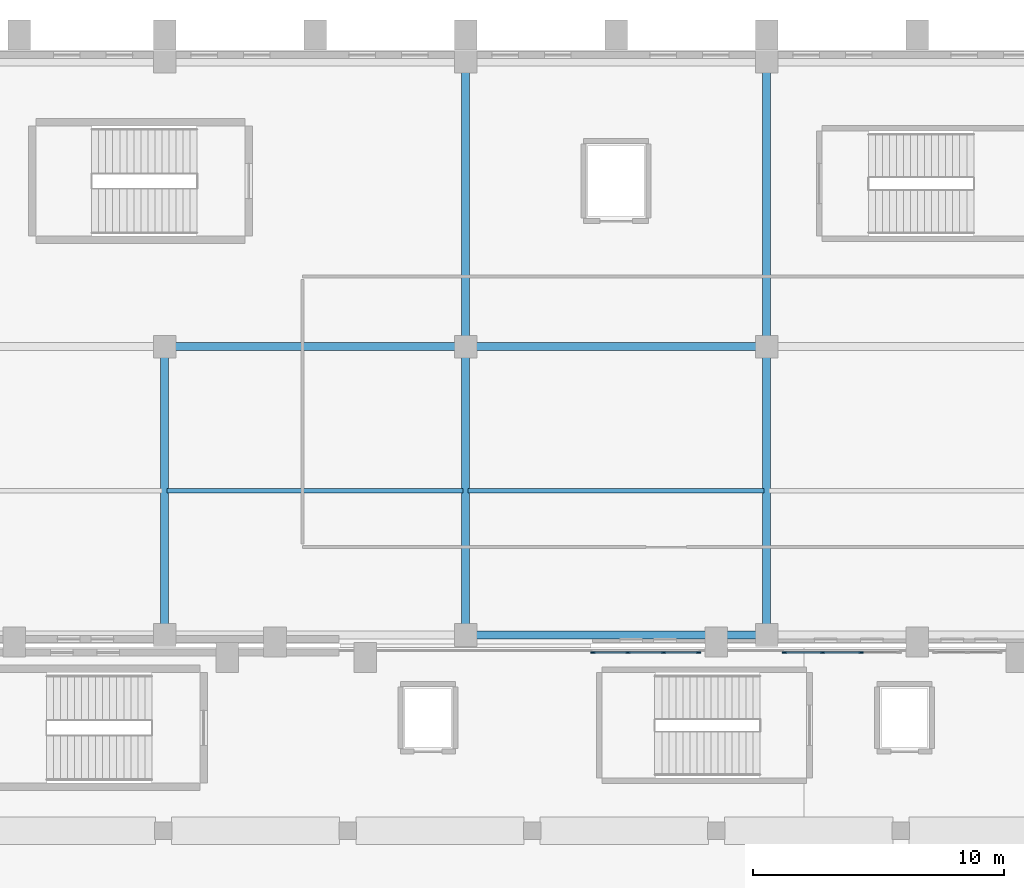
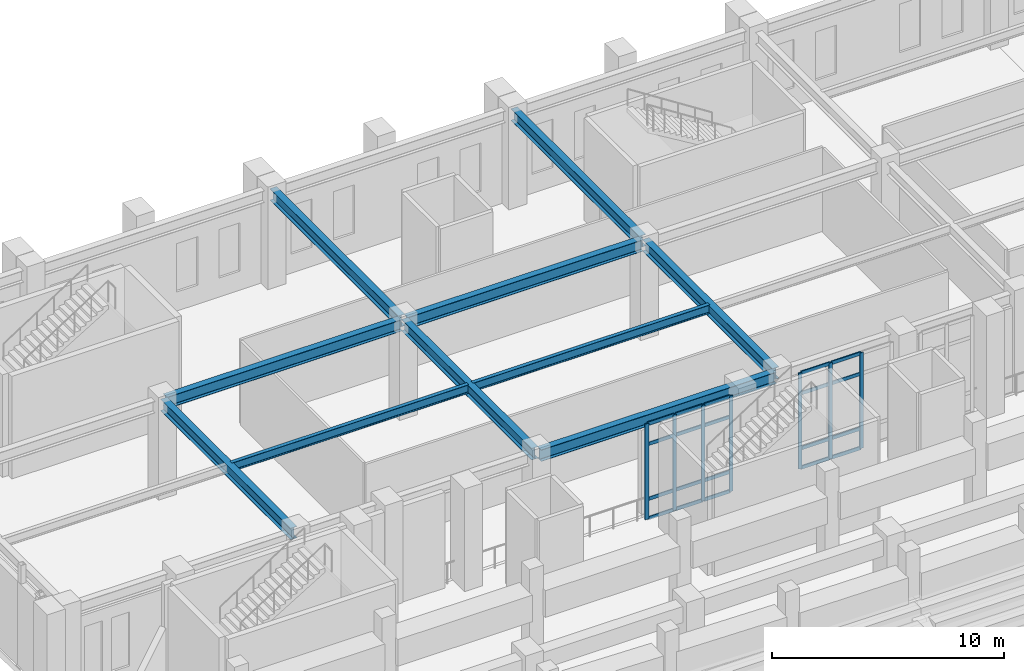
# One storey, part 50 of 159: 27 members, 10 beams, 2 elements without a shape of their own.
"""IFC4 building model written with IfcOpenShell, lengths in metres."""

from ifc_helpers import new_model, si_unit, derived_unit, direction, frame, origin, origin_2d, place, context, subcontext, project, spatial, rectangle, i_section, extrude, material, layer, layer_set, material_profile, profile_set, type_object, element, aggregate, save


model = new_model("IFC4")

# Units and contexts
model_context = context("Model", 3, precision=1e-05, world=origin(), true_north=direction((0.0, 1.0)))
body_context = subcontext(model_context, "Body", "Model", "MODEL_VIEW")
ifc_project = project(units=[si_unit("LENGTHUNIT", "METRE"), si_unit("AREAUNIT", "SQUARE_METRE"), si_unit("VOLUMEUNIT", "CUBIC_METRE"), si_unit("PLANEANGLEUNIT", "RADIAN"), si_unit("MASSUNIT", "GRAM", prefix="KILO"), derived_unit("THERMALTRANSMITTANCEUNIT", [(si_unit("MASSUNIT", "GRAM", prefix="KILO"), 1), (si_unit("TIMEUNIT", "SECOND"), -3), (si_unit("THERMODYNAMICTEMPERATUREUNIT", "KELVIN"), -1)])], contexts=[model_context])

# Site, building, storey
site_placement = place(None, origin())
site = spatial("IfcSite", under=ifc_project, at=site_placement, CompositionType="ELEMENT")
building_placement = place(site_placement, origin())
building = spatial("IfcBuilding", under=site, at=building_placement, Name="Valcora Ridge Arena", CompositionType="ELEMENT")
storey_placement = place(building_placement, frame((0.0, 0.0, 6.0)))
storey = spatial("IfcBuildingStorey", under=building, at=storey_placement, Name="L01", CompositionType="ELEMENT", Elevation=6.0)

# Beams
ifc_material_1 = material(Name="Steel ASTM A572 Grade 50", Category="steel")
ifc_material_profile_1 = material_profile(ifc_material_1, i_section(OverallWidth=0.324951171875, OverallDepth=0.612060546875, WebThickness=0.0126953125, FlangeThickness=0.01904296875, FilletRadius=0.01806640625, at=origin_2d()), Name="W24X104")
ifc_profile_set_1 = profile_set([ifc_material_profile_1], Name="Steel ASTM A572 Grade 50")
beam_type_1 = type_object("IfcBeamType", Name="TY-BEAM-G-W24X104-X", PredefinedType="BEAM", material=ifc_profile_set_1)
for number, where, z_axis, x_axis, name in (
    (1, (48.139892578125, 108.699951171875, 4.73388671875), (1.0, 0.0, 0.0), (0.0, 1.0, 0.0), "G-W24X104-X BEM-G-W24X104-X-0037"),
    (2, (36.139892578125, 120.199951171875, 4.73388671875), (1.0, 0.0, 0.0), (0.0, 1.0, 0.0), "G-W24X104-X BEM-G-W24X104-X-0050"),
    (3, (48.139892578125, 120.199951171875, 4.73388671875), (1.0, 0.0, 0.0), (0.0, 1.0, 0.0), "G-W24X104-X BEM-G-W24X104-X-0051"),
):
    element("IfcBeam", number, at=place(storey_placement, frame(where, z_axis=z_axis, x_axis=x_axis)), inside=storey, type_object=beam_type_1, Name=name, PredefinedType="BEAM", context=body_context, shape_type="SweptSolid", body=[
        extrude(i_section(OverallWidth=0.324951171875, OverallDepth=0.612060546875, WebThickness=0.0126953125, FlangeThickness=0.01904296875, FilletRadius=0.01806640625, at=origin_2d()), origin(), (0.0, 0.0, 1.0), 11.72021484375),
    ])
ifc_material_profile_2 = material_profile(ifc_material_1, i_section(OverallWidth=0.324951171875, OverallDepth=0.612060546875, WebThickness=0.0126953125, FlangeThickness=0.01904296875, FilletRadius=0.01806640625, at=origin_2d()), Name="W24X104")
ifc_profile_set_2 = profile_set([ifc_material_profile_2], Name="Steel ASTM A572 Grade 50")
beam_type_2 = type_object("IfcBeamType", Name="TY-BEAM-G-W24X104-Y", PredefinedType="BEAM", material=ifc_profile_set_2)
for number, where, z_axis, x_axis, name in (
    (4, (36.0, 108.840087890625, 4.73388671875), (0.0, 1.0, 0.0), (-1.0, 0.0, 0.0), "G-W24X104-Y BEM-G-W24X104-Y-0039"),
    (5, (48.0, 108.840087890625, 4.73388671875), (0.0, 1.0, 0.0), (-1.0, 0.0, 0.0), "G-W24X104-Y BEM-G-W24X104-Y-0040"),
):
    element("IfcBeam", number, at=place(storey_placement, frame(where, z_axis=z_axis, x_axis=x_axis)), inside=storey, type_object=beam_type_2, Name=name, PredefinedType="BEAM", context=body_context, shape_type="SweptSolid", body=[
        extrude(i_section(OverallWidth=0.324951171875, OverallDepth=0.612060546875, WebThickness=0.0126953125, FlangeThickness=0.01904296875, FilletRadius=0.01806640625, at=origin_2d()), origin(), (0.0, 0.0, 1.0), 11.219970703125),
    ])
beam_1_placement = place(storey_placement, frame((48.0, 120.340087890625, 4.73388671875), z_axis=(0.0, 1.0, 0.0), x_axis=(-1.0, 0.0, 0.0)))
element("IfcBeam", 6, at=beam_1_placement, inside=storey, type_object=beam_type_2, Name="G-W24X104-Y BEM-G-W24X104-Y-0041", PredefinedType="BEAM", context=body_context, shape_type="SweptSolid", body=[
    extrude(i_section(OverallWidth=0.324951171875, OverallDepth=0.612060546875, WebThickness=0.0126953125, FlangeThickness=0.01904296875, FilletRadius=0.01806640625, at=origin_2d()), origin(), (0.0, 0.0, 1.0), 11.06982421875),
])
beam_2_placement = place(storey_placement, frame((60.0, 108.840087890625, 4.73388671875), z_axis=(0.0, 1.0, 0.0), x_axis=(-1.0, 0.0, 0.0)))
element("IfcBeam", 7, at=beam_2_placement, inside=storey, type_object=beam_type_2, Name="G-W24X104-Y BEM-G-W24X104-Y-0042", PredefinedType="BEAM", context=body_context, shape_type="SweptSolid", body=[
    extrude(i_section(OverallWidth=0.324951171875, OverallDepth=0.612060546875, WebThickness=0.0126953125, FlangeThickness=0.01904296875, FilletRadius=0.01806640625, at=origin_2d()), origin(), (0.0, 0.0, 1.0), 11.219970703125),
])
beam_3_placement = place(storey_placement, frame((60.0, 120.340087890625, 4.73388671875), z_axis=(0.0, 1.0, 0.0), x_axis=(-1.0, 0.0, 0.0)))
element("IfcBeam", 8, at=beam_3_placement, inside=storey, type_object=beam_type_2, Name="G-W24X104-Y BEM-G-W24X104-Y-0043", PredefinedType="BEAM", context=body_context, shape_type="SweptSolid", body=[
    extrude(i_section(OverallWidth=0.324951171875, OverallDepth=0.612060546875, WebThickness=0.0126953125, FlangeThickness=0.01904296875, FilletRadius=0.01806640625, at=origin_2d()), origin(), (0.0, 0.0, 1.0), 11.06982421875),
])
ifc_material_profile_3 = material_profile(ifc_material_1, i_section(OverallWidth=0.18994140625, OverallDepth=0.45703125, WebThickness=0.009033203125, FlangeThickness=0.014404296875, FilletRadius=0.014892578125, at=origin_2d()), Name="W18X50")
ifc_profile_set_3 = profile_set([ifc_material_profile_3], Name="Steel ASTM A572 Grade 50")
beam_type_3 = type_object("IfcBeamType", Name="TY-BEAM-J-W18X50", PredefinedType="JOIST", material=ifc_profile_set_3)
for number, where, z_axis, x_axis, name in (
    (9, (36.10009765625, 114.449951171875, 4.8115234375), (1.0, 0.0, 0.0), (0.0, 1.0, 0.0), "J-W18X50 BEM-J-W18X50-0028"),
    (10, (48.10009765625, 114.449951171875, 4.8115234375), (1.0, 0.0, 0.0), (0.0, 1.0, 0.0), "J-W18X50 BEM-J-W18X50-0029"),
):
    element("IfcBeam", number, at=place(storey_placement, frame(where, z_axis=z_axis, x_axis=x_axis)), inside=storey, type_object=beam_type_3, Name=name, PredefinedType="JOIST", context=body_context, shape_type="SweptSolid", body=[
        extrude(i_section(OverallWidth=0.18994140625, OverallDepth=0.45703125, WebThickness=0.009033203125, FlangeThickness=0.014404296875, FilletRadius=0.014892578125, at=origin_2d()), origin(), (0.0, 0.0, 1.0), 11.7998046875),
    ])

# Curtain wall, members
ifc_material_2 = material(Name="Anodised dark bronze architectural aluminium 6063-T6", Category="aluminium")
ifc_layer_1 = layer(ifc_material_2, 0.179931640625, Name="Anodised dark bronze architectural aluminium 6063-T6")
ifc_layer_set_1 = layer_set([ifc_layer_1], Name="Anodised dark bronze architectural aluminium 6063-T6")
curtain_wall_type_1 = type_object("IfcCurtainWallType", Name="TY-CURTAINWALL-CW-V1-GOTH-043X50", PredefinedType="NOTDEFINED", material=ifc_layer_set_1)
curtain_wall_1_placement = place(storey_placement, origin())
curtain_wall_1 = element("IfcCurtainWall", 11, at=curtain_wall_1_placement, inside=storey, type_object=curtain_wall_type_1, Name="CW-V1-GOTH-043X50 CW-0102", PredefinedType="NOTDEFINED")
ifc_material_profile_4 = material_profile(ifc_material_2, rectangle(XDim=0.06005859375, YDim=0.179931640625, at=origin_2d()), Name="ALU MULLION 60x180")
ifc_profile_set_4 = profile_set([ifc_material_profile_4], Name="Anodised dark bronze architectural aluminium 6063-T6")
member_type_1 = type_object("IfcMemberType", Name="TY-MEM-CWM-60x180", PredefinedType="MULLION", material=ifc_profile_set_4)
member_1_placement = place(storey_placement, frame((53.080078125, 108.0, 0.0), z_axis=(0.0, 0.0, 1.0), x_axis=(0.0, 1.0, 0.0)))
member_1 = element("IfcMember", 12, at=member_1_placement, type_object=member_type_1, Name="CW-0102/CWM-60x180/M00", PredefinedType="MULLION", context=body_context, shape_type="SweptSolid", body=[
    extrude(rectangle(XDim=0.06005859375, YDim=0.179931640625, at=origin_2d()), origin(), (0.0, 0.0, 1.0), 5.0400390625),
])
member_2_placement = place(storey_placement, frame((54.469970703125, 108.0, 0.0), z_axis=(0.0, 0.0, 1.0), x_axis=(0.0, 1.0, 0.0)))
member_2 = element("IfcMember", 13, at=member_2_placement, type_object=member_type_1, Name="CW-0102/CWM-60x180/M01", PredefinedType="MULLION", context=body_context, shape_type="SweptSolid", body=[
    extrude(rectangle(XDim=0.06005859375, YDim=0.179931640625, at=origin_2d()), origin(), (0.0, 0.0, 1.0), 5.0400390625),
])
member_3_placement = place(storey_placement, frame((55.889892578125, 108.0, 0.0), z_axis=(0.0, 0.0, 1.0), x_axis=(0.0, 1.0, 0.0)))
member_3 = element("IfcMember", 14, at=member_3_placement, type_object=member_type_1, Name="CW-0102/CWM-60x180/M02", PredefinedType="MULLION", context=body_context, shape_type="SweptSolid", body=[
    extrude(rectangle(XDim=0.06005859375, YDim=0.179931640625, at=origin_2d()), origin(), (0.0, 0.0, 1.0), 5.0400390625),
])
member_4_placement = place(storey_placement, frame((57.280029296875, 108.0, 0.0), z_axis=(0.0, 0.0, 1.0), x_axis=(0.0, 1.0, 0.0)))
member_4 = element("IfcMember", 15, at=member_4_placement, type_object=member_type_1, Name="CW-0102/CWM-60x180/M03", PredefinedType="MULLION", context=body_context, shape_type="SweptSolid", body=[
    extrude(rectangle(XDim=0.06005859375, YDim=0.179931640625, at=origin_2d()), origin(), (0.0, 0.0, 1.0), 5.0400390625),
])

ifc_layer_2 = layer(ifc_material_2, 0.179931640625, Name="Anodised dark bronze architectural aluminium 6063-T6")
ifc_layer_set_2 = layer_set([ifc_layer_2], Name="Anodised dark bronze architectural aluminium 6063-T6")
curtain_wall_type_2 = type_object("IfcCurtainWallType", Name="TY-CURTAINWALL-CW-V1-GOTH-046X50", PredefinedType="NOTDEFINED", material=ifc_layer_set_2)
curtain_wall_2_placement = place(storey_placement, origin())
curtain_wall_2 = element("IfcCurtainWall", 16, at=curtain_wall_2_placement, inside=storey, type_object=curtain_wall_type_2, Name="CW-V1-GOTH-046X50 CW-0103", PredefinedType="NOTDEFINED")
member_5_placement = place(storey_placement, frame((60.719970703125, 108.0, 0.0), z_axis=(0.0, 0.0, 1.0), x_axis=(0.0, 1.0, 0.0)))
member_5 = element("IfcMember", 17, at=member_5_placement, type_object=member_type_1, Name="CW-0103/CWM-60x180/M00", PredefinedType="MULLION", context=body_context, shape_type="SweptSolid", body=[
    extrude(rectangle(XDim=0.06005859375, YDim=0.179931640625, at=origin_2d()), origin(), (0.0, 0.0, 1.0), 5.0400390625),
])
member_6_placement = place(storey_placement, frame((62.22998046875, 108.0, 0.0), z_axis=(0.0, 0.0, 1.0), x_axis=(0.0, 1.0, 0.0)))
member_6 = element("IfcMember", 18, at=member_6_placement, type_object=member_type_1, Name="CW-0103/CWM-60x180/M01", PredefinedType="MULLION", context=body_context, shape_type="SweptSolid", body=[
    extrude(rectangle(XDim=0.06005859375, YDim=0.179931640625, at=origin_2d()), origin(), (0.0, 0.0, 1.0), 5.0400390625),
])
member_7_placement = place(storey_placement, frame((63.77001953125, 108.0, 0.0), z_axis=(0.0, 0.0, 1.0), x_axis=(0.0, 1.0, 0.0)))
member_7 = element("IfcMember", 19, at=member_7_placement, type_object=member_type_1, Name="CW-0103/CWM-60x180/M02", PredefinedType="MULLION", context=body_context, shape_type="SweptSolid", body=[
    extrude(rectangle(XDim=0.06005859375, YDim=0.179931640625, at=origin_2d()), origin(), (0.0, 0.0, 1.0), 5.0400390625),
])

# Member
ifc_material_profile_5 = material_profile(ifc_material_2, rectangle(XDim=0.06005859375, YDim=0.179931640625, at=origin_2d()), Name="ALU TRANSOM 60x180")
ifc_profile_set_5 = profile_set([ifc_material_profile_5], Name="Anodised dark bronze architectural aluminium 6063-T6")
member_type_2 = type_object("IfcMemberType", Name="TY-MEM-CWT-60x180", PredefinedType="USERDEFINED", material=ifc_profile_set_5)
member_8_placement = place(storey_placement, frame((53.110107421875, 108.0, 0.030029296875), z_axis=(1.0, 0.0, 0.0), x_axis=(0.0, 1.0, 0.0)))
member_8 = element("IfcMember", 20, at=member_8_placement, type_object=member_type_2, Name="CW-0102/CWT-60x180/T00-00", ObjectType="TRANSOM", PredefinedType="USERDEFINED", context=body_context, shape_type="SweptSolid", body=[
    extrude(rectangle(XDim=0.06005859375, YDim=0.179931640625, at=origin_2d()), origin(), (0.0, 0.0, 1.0), 1.329833984375),
])

member_9_placement = place(storey_placement, frame((53.110107421875, 108.0, 1.050048828125), z_axis=(1.0, 0.0, 0.0), x_axis=(0.0, 1.0, 0.0)))
member_9 = element("IfcMember", 21, at=member_9_placement, type_object=member_type_2, Name="CW-0102/CWT-60x180/T00-01", ObjectType="TRANSOM", PredefinedType="USERDEFINED", context=body_context, shape_type="SweptSolid", body=[
    extrude(rectangle(XDim=0.06005859375, YDim=0.179931640625, at=origin_2d()), origin(), (0.0, 0.0, 1.0), 1.329833984375),
])

member_10_placement = place(storey_placement, frame((53.110107421875, 108.0, 3.93994140625), z_axis=(1.0, 0.0, 0.0), x_axis=(0.0, 1.0, 0.0)))
member_10 = element("IfcMember", 22, at=member_10_placement, type_object=member_type_2, Name="CW-0102/CWT-60x180/T00-02", ObjectType="TRANSOM", PredefinedType="USERDEFINED", context=body_context, shape_type="SweptSolid", body=[
    extrude(rectangle(XDim=0.06005859375, YDim=0.179931640625, at=origin_2d()), origin(), (0.0, 0.0, 1.0), 1.329833984375),
])

member_11_placement = place(storey_placement, frame((53.110107421875, 108.0, 5.010009765625), z_axis=(1.0, 0.0, 0.0), x_axis=(0.0, 1.0, 0.0)))
member_11 = element("IfcMember", 23, at=member_11_placement, type_object=member_type_2, Name="CW-0102/CWT-60x180/T00-03", ObjectType="TRANSOM", PredefinedType="USERDEFINED", context=body_context, shape_type="SweptSolid", body=[
    extrude(rectangle(XDim=0.06005859375, YDim=0.179931640625, at=origin_2d()), origin(), (0.0, 0.0, 1.0), 1.329833984375),
])

member_12_placement = place(storey_placement, frame((54.5, 108.0, 0.030029296875), z_axis=(1.0, 0.0, 0.0), x_axis=(0.0, 1.0, 0.0)))
member_12 = element("IfcMember", 24, at=member_12_placement, type_object=member_type_2, Name="CW-0102/CWT-60x180/T01-00", ObjectType="TRANSOM", PredefinedType="USERDEFINED", context=body_context, shape_type="SweptSolid", body=[
    extrude(rectangle(XDim=0.06005859375, YDim=0.179931640625, at=origin_2d()), origin(), (0.0, 0.0, 1.0), 1.360107421875),
])

member_13_placement = place(storey_placement, frame((54.5, 108.0, 1.050048828125), z_axis=(1.0, 0.0, 0.0), x_axis=(0.0, 1.0, 0.0)))
member_13 = element("IfcMember", 25, at=member_13_placement, type_object=member_type_2, Name="CW-0102/CWT-60x180/T01-01", ObjectType="TRANSOM", PredefinedType="USERDEFINED", context=body_context, shape_type="SweptSolid", body=[
    extrude(rectangle(XDim=0.06005859375, YDim=0.179931640625, at=origin_2d()), origin(), (0.0, 0.0, 1.0), 1.360107421875),
])

member_14_placement = place(storey_placement, frame((54.5, 108.0, 3.93994140625), z_axis=(1.0, 0.0, 0.0), x_axis=(0.0, 1.0, 0.0)))
member_14 = element("IfcMember", 26, at=member_14_placement, type_object=member_type_2, Name="CW-0102/CWT-60x180/T01-02", ObjectType="TRANSOM", PredefinedType="USERDEFINED", context=body_context, shape_type="SweptSolid", body=[
    extrude(rectangle(XDim=0.06005859375, YDim=0.179931640625, at=origin_2d()), origin(), (0.0, 0.0, 1.0), 1.360107421875),
])

member_15_placement = place(storey_placement, frame((54.5, 108.0, 5.010009765625), z_axis=(1.0, 0.0, 0.0), x_axis=(0.0, 1.0, 0.0)))
member_15 = element("IfcMember", 27, at=member_15_placement, type_object=member_type_2, Name="CW-0102/CWT-60x180/T01-03", ObjectType="TRANSOM", PredefinedType="USERDEFINED", context=body_context, shape_type="SweptSolid", body=[
    extrude(rectangle(XDim=0.06005859375, YDim=0.179931640625, at=origin_2d()), origin(), (0.0, 0.0, 1.0), 1.360107421875),
])

member_16_placement = place(storey_placement, frame((55.919921875, 108.0, 0.030029296875), z_axis=(1.0, 0.0, 0.0), x_axis=(0.0, 1.0, 0.0)))
member_16 = element("IfcMember", 28, at=member_16_placement, type_object=member_type_2, Name="CW-0102/CWT-60x180/T02-00", ObjectType="TRANSOM", PredefinedType="USERDEFINED", context=body_context, shape_type="SweptSolid", body=[
    extrude(rectangle(XDim=0.06005859375, YDim=0.179931640625, at=origin_2d()), origin(), (0.0, 0.0, 1.0), 1.330078125),
])

member_17_placement = place(storey_placement, frame((55.919921875, 108.0, 1.050048828125), z_axis=(1.0, 0.0, 0.0), x_axis=(0.0, 1.0, 0.0)))
member_17 = element("IfcMember", 29, at=member_17_placement, type_object=member_type_2, Name="CW-0102/CWT-60x180/T02-01", ObjectType="TRANSOM", PredefinedType="USERDEFINED", context=body_context, shape_type="SweptSolid", body=[
    extrude(rectangle(XDim=0.06005859375, YDim=0.179931640625, at=origin_2d()), origin(), (0.0, 0.0, 1.0), 1.330078125),
])

member_18_placement = place(storey_placement, frame((55.919921875, 108.0, 3.93994140625), z_axis=(1.0, 0.0, 0.0), x_axis=(0.0, 1.0, 0.0)))
member_18 = element("IfcMember", 30, at=member_18_placement, type_object=member_type_2, Name="CW-0102/CWT-60x180/T02-02", ObjectType="TRANSOM", PredefinedType="USERDEFINED", context=body_context, shape_type="SweptSolid", body=[
    extrude(rectangle(XDim=0.06005859375, YDim=0.179931640625, at=origin_2d()), origin(), (0.0, 0.0, 1.0), 1.330078125),
])

member_19_placement = place(storey_placement, frame((55.919921875, 108.0, 5.010009765625), z_axis=(1.0, 0.0, 0.0), x_axis=(0.0, 1.0, 0.0)))
member_19 = element("IfcMember", 31, at=member_19_placement, type_object=member_type_2, Name="CW-0102/CWT-60x180/T02-03", ObjectType="TRANSOM", PredefinedType="USERDEFINED", context=body_context, shape_type="SweptSolid", body=[
    extrude(rectangle(XDim=0.06005859375, YDim=0.179931640625, at=origin_2d()), origin(), (0.0, 0.0, 1.0), 1.330078125),
])

aggregate(curtain_wall_1, [member_1, member_2, member_3, member_4, member_8, member_9, member_10, member_11, member_12, member_13, member_14, member_15, member_16, member_17, member_18, member_19])

member_20_placement = place(storey_placement, frame((60.75, 108.0, 0.030029296875), z_axis=(1.0, 0.0, 0.0), x_axis=(0.0, 1.0, 0.0)))
member_20 = element("IfcMember", 32, at=member_20_placement, type_object=member_type_2, Name="CW-0103/CWT-60x180/T00-00", ObjectType="TRANSOM", PredefinedType="USERDEFINED", context=body_context, shape_type="SweptSolid", body=[
    extrude(rectangle(XDim=0.06005859375, YDim=0.179931640625, at=origin_2d()), origin(), (0.0, 0.0, 1.0), 1.449951171875),
])

member_21_placement = place(storey_placement, frame((60.75, 108.0, 1.050048828125), z_axis=(1.0, 0.0, 0.0), x_axis=(0.0, 1.0, 0.0)))
member_21 = element("IfcMember", 33, at=member_21_placement, type_object=member_type_2, Name="CW-0103/CWT-60x180/T00-01", ObjectType="TRANSOM", PredefinedType="USERDEFINED", context=body_context, shape_type="SweptSolid", body=[
    extrude(rectangle(XDim=0.06005859375, YDim=0.179931640625, at=origin_2d()), origin(), (0.0, 0.0, 1.0), 1.449951171875),
])

member_22_placement = place(storey_placement, frame((60.75, 108.0, 3.93994140625), z_axis=(1.0, 0.0, 0.0), x_axis=(0.0, 1.0, 0.0)))
member_22 = element("IfcMember", 34, at=member_22_placement, type_object=member_type_2, Name="CW-0103/CWT-60x180/T00-02", ObjectType="TRANSOM", PredefinedType="USERDEFINED", context=body_context, shape_type="SweptSolid", body=[
    extrude(rectangle(XDim=0.06005859375, YDim=0.179931640625, at=origin_2d()), origin(), (0.0, 0.0, 1.0), 1.449951171875),
])

member_23_placement = place(storey_placement, frame((60.75, 108.0, 5.010009765625), z_axis=(1.0, 0.0, 0.0), x_axis=(0.0, 1.0, 0.0)))
member_23 = element("IfcMember", 35, at=member_23_placement, type_object=member_type_2, Name="CW-0103/CWT-60x180/T00-03", ObjectType="TRANSOM", PredefinedType="USERDEFINED", context=body_context, shape_type="SweptSolid", body=[
    extrude(rectangle(XDim=0.06005859375, YDim=0.179931640625, at=origin_2d()), origin(), (0.0, 0.0, 1.0), 1.449951171875),
])

member_24_placement = place(storey_placement, frame((62.260009765625, 108.0, 0.030029296875), z_axis=(1.0, 0.0, 0.0), x_axis=(0.0, 1.0, 0.0)))
member_24 = element("IfcMember", 36, at=member_24_placement, type_object=member_type_2, Name="CW-0103/CWT-60x180/T01-00", ObjectType="TRANSOM", PredefinedType="USERDEFINED", context=body_context, shape_type="SweptSolid", body=[
    extrude(rectangle(XDim=0.06005859375, YDim=0.179931640625, at=origin_2d()), origin(), (0.0, 0.0, 1.0), 1.47998046875),
])

member_25_placement = place(storey_placement, frame((62.260009765625, 108.0, 1.050048828125), z_axis=(1.0, 0.0, 0.0), x_axis=(0.0, 1.0, 0.0)))
member_25 = element("IfcMember", 37, at=member_25_placement, type_object=member_type_2, Name="CW-0103/CWT-60x180/T01-01", ObjectType="TRANSOM", PredefinedType="USERDEFINED", context=body_context, shape_type="SweptSolid", body=[
    extrude(rectangle(XDim=0.06005859375, YDim=0.179931640625, at=origin_2d()), origin(), (0.0, 0.0, 1.0), 1.47998046875),
])

member_26_placement = place(storey_placement, frame((62.260009765625, 108.0, 3.93994140625), z_axis=(1.0, 0.0, 0.0), x_axis=(0.0, 1.0, 0.0)))
member_26 = element("IfcMember", 38, at=member_26_placement, type_object=member_type_2, Name="CW-0103/CWT-60x180/T01-02", ObjectType="TRANSOM", PredefinedType="USERDEFINED", context=body_context, shape_type="SweptSolid", body=[
    extrude(rectangle(XDim=0.06005859375, YDim=0.179931640625, at=origin_2d()), origin(), (0.0, 0.0, 1.0), 1.47998046875),
])

member_27_placement = place(storey_placement, frame((62.260009765625, 108.0, 5.010009765625), z_axis=(1.0, 0.0, 0.0), x_axis=(0.0, 1.0, 0.0)))
member_27 = element("IfcMember", 39, at=member_27_placement, type_object=member_type_2, Name="CW-0103/CWT-60x180/T01-03", ObjectType="TRANSOM", PredefinedType="USERDEFINED", context=body_context, shape_type="SweptSolid", body=[
    extrude(rectangle(XDim=0.06005859375, YDim=0.179931640625, at=origin_2d()), origin(), (0.0, 0.0, 1.0), 1.47998046875),
])

aggregate(curtain_wall_2, [member_5, member_6, member_7, member_20, member_21, member_22, member_23, member_24, member_25, member_26, member_27])

save(model, "model.ifc")
